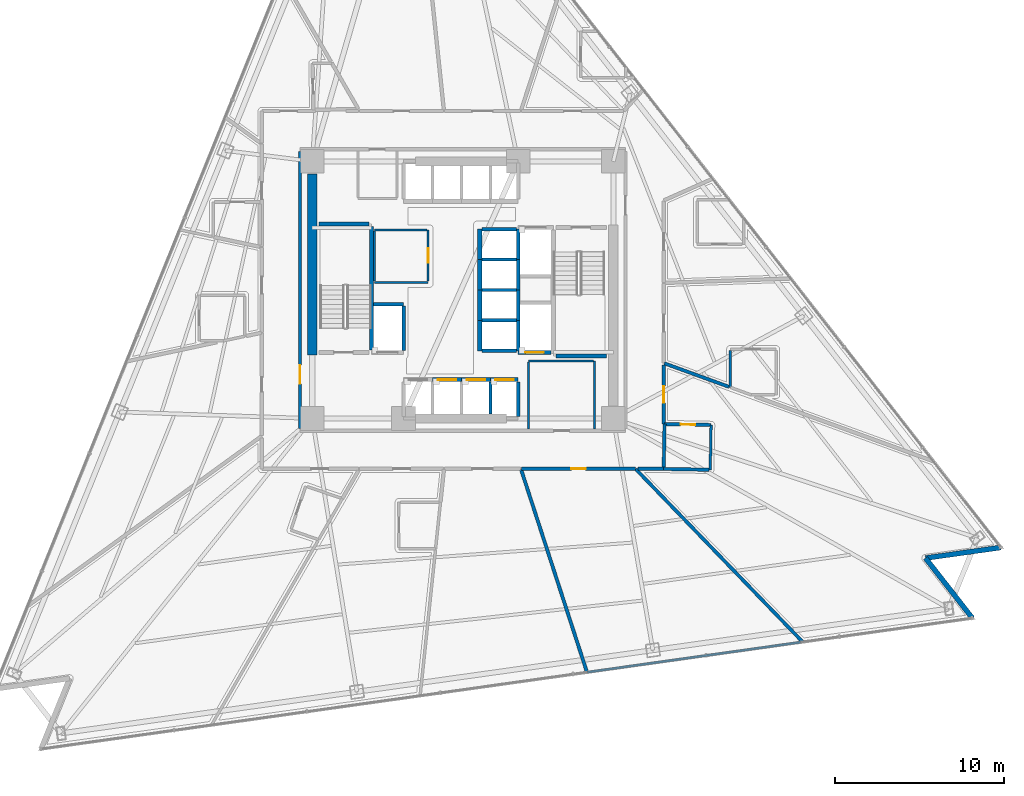
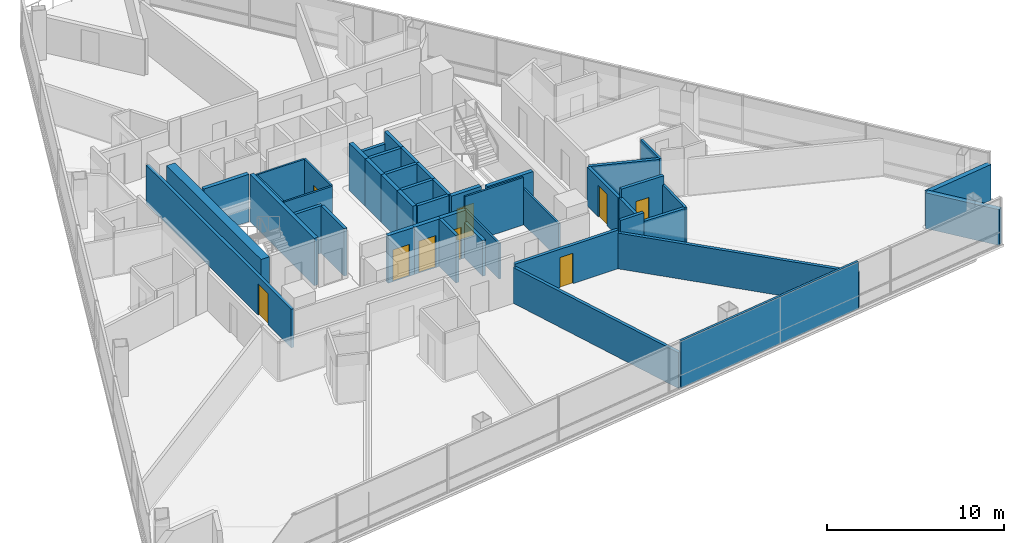
# One storey, part 8 of 15: 47 walls, 9 doors, 9 openings.
"""IFC4 building model written with IfcOpenShell, lengths in metres."""

from ifc_helpers import new_model, si_unit, direction, frame, frame_2d, origin, place, context, subcontext, project, spatial, rectangle, extrude, material, layer, layer_set, type_object, element, fill, save


model = new_model("IFC4")

# Units and contexts
model_context = context("Model", 3, precision=1e-05, world=origin(), true_north=direction((0.0, 1.0)))
body_context = subcontext(model_context, "Body", "Model", "MODEL_VIEW")
ifc_project = project(units=[si_unit("LENGTHUNIT", "METRE"), si_unit("AREAUNIT", "SQUARE_METRE"), si_unit("VOLUMEUNIT", "CUBIC_METRE"), si_unit("PLANEANGLEUNIT", "RADIAN"), si_unit("MASSUNIT", "GRAM", prefix="KILO")], contexts=[model_context])

# Site, building, storey
site_placement = place(None, origin())
site = spatial("IfcSite", under=ifc_project, at=site_placement, CompositionType="ELEMENT")
building_placement = place(site_placement, origin())
building = spatial("IfcBuilding", under=site, at=building_placement, Name="Tharavind Bronze Gate", CompositionType="ELEMENT")
storey_placement = place(building_placement, frame((0.0, 0.0, 63.85009765625)))
storey = spatial("IfcBuildingStorey", under=building, at=storey_placement, Name="L15", CompositionType="ELEMENT", Elevation=63.85009765625)

# Walls
ifc_material_1 = material(Name="Concrete C40/50", Category="concrete")
ifc_layer_1 = layer(ifc_material_1, 0.300048828125)
ifc_layer_set_1 = layer_set([ifc_layer_1], Name="Concrete C40/50")
wall_type_1 = type_object("IfcWallType", Name="EXTERIOR SPANDREL WALL 300", PredefinedType="STANDARD", material=ifc_layer_set_1)
wall_1_placement = place(storey_placement, frame((30.127685546875, -19.399169921875, 0.0), z_axis=(0.0, 0.0, 1.0), x_axis=(-0.615621932091, 0.78804164657, 0.0)))
element("IfcWall", 1, at=wall_1_placement, inside=storey, type_object=wall_type_1, Name="L15 notch cheek wall 3A", PredefinedType="STANDARD", context=body_context, shape_type="SweptSolid", body=[
    extrude(rectangle(XDim=4.5, YDim=0.300048828125, at=frame_2d((2.25, 0.0))), origin(), (0.0, 0.0, 1.0), 2.469970703125),
])
wall_2_placement = place(storey_placement, frame((27.357421875, -15.85302734375, 0.0), z_axis=(0.0, 0.0, 1.0), x_axis=(0.990269200152, 0.139165050317, 0.0)))
element("IfcWall", 2, at=wall_2_placement, inside=storey, type_object=wall_type_1, Name="L15 notch cheek wall 3B", PredefinedType="STANDARD", context=body_context, shape_type="SweptSolid", body=[
    extrude(rectangle(XDim=4.499755859375, YDim=0.300048828125, at=frame_2d((2.25, 0.0))), origin(), (0.0, 0.0, 1.0), 2.469970703125),
])

# Wall, opening, door
ifc_material_2 = material(Name="Aerated Concrete Block", Category="concrete")
ifc_layer_2 = layer(ifc_material_2, 0.199951171875)
ifc_layer_set_2 = layer_set([ifc_layer_2], Name="Aerated Concrete Block")
wall_type_2 = type_object("IfcWallType", Name="FIRE RATED PARTITION 200", PredefinedType="PARTITIONING", material=ifc_layer_set_2)
wall_3_placement = place(storey_placement, frame((-9.6201171875, 8.199951171875, 0.0), z_axis=(0.0, 0.0, 1.0), x_axis=(0.0, -1.0, 0.0)))
wall_3 = element("IfcWall", 3, at=wall_3_placement, inside=storey, type_object=wall_type_2, Name="L15 west core corridor wall", PredefinedType="PARTITIONING", context=body_context, shape_type="SweptSolid", body=[
    extrude(rectangle(XDim=16.39990234375, YDim=0.199951171875, at=frame_2d((8.199951171875, 0.0))), origin(), (0.0, 0.0, 1.0), 2.669921875),
])
opening_1_placement = place(wall_3_placement, frame((12.64990234375, 0.0, 0.0)))
opening_1 = element("IfcOpeningElement", 4, at=opening_1_placement, cuts=wall_3, Name="Opening ID01", PredefinedType="OPENING", context=body_context, shape_type="SweptSolid", body=[
    extrude(rectangle(XDim=1.10009765625, YDim=2.14990234375, at=frame_2d((0.550048828125, 1.074951171875))), frame((0.0, 0.11009765625, 0.0), z_axis=(0.0, -1.0, 0.0), x_axis=(1.0, 0.0, 0.0)), (0.0, 0.0, 1.0), 0.219951171875),
])
ifc_material_3 = material(Name="Fire-Rated Steel", Category="steel")
door_type_1 = type_object("IfcDoorType", Name="STAIR CORE FIRE DOOR 1100X2150", OperationType="SINGLE_SWING_LEFT", PredefinedType="DOOR", material=ifc_material_3)
door_1_placement = place(opening_1_placement, frame((1.10009765625, 0.0, 0.0), z_axis=(0.0, 0.0, 1.0), x_axis=(-1.0, 0.0, 0.0)))
door_1 = element("IfcDoor", 5, at=door_1_placement, inside=storey, type_object=door_type_1, Name="L15 south west stair lobby fire door", OperationType="SINGLE_SWING_LEFT", OverallHeight=2.14990234375, OverallWidth=1.10009765625, PredefinedType="DOOR", context=body_context, shape_type="SweptSolid", body=[
    extrude(rectangle(XDim=1.10009765625, YDim=2.14990234375, at=frame_2d((0.550048828125, 1.074951171875))), frame((0.0, 0.02490234375, 0.0), z_axis=(0.0, -1.0, 0.0), x_axis=(1.0, 0.0, 0.0)), (0.0, 0.0, 1.0), 0.050048828125),
])
fill(opening_1, door_1)

wall_4_placement = place(storey_placement, frame((11.93115234375, -7.930419921875, 0.0), z_axis=(0.0, 0.0, 1.0), x_axis=(0.999812703389, -0.019353504647, 0.0)))
wall_4 = element("IfcWall", 6, at=wall_4_placement, inside=storey, type_object=wall_type_2, Name="L15 En-Suite Bathroom partition", PredefinedType="PARTITIONING", context=body_context, shape_type="SweptSolid", body=[
    extrude(rectangle(XDim=2.75, YDim=0.199951171875, at=frame_2d((1.375, 0.0))), origin(), (0.0, 0.0, 1.0), 3.27490234375),
])
opening_2_placement = place(wall_4_placement, frame((0.949951171875, 0.0, 0.0)))
opening_2 = element("IfcOpeningElement", 7, at=opening_2_placement, cuts=wall_4, Name="Opening ID06", PredefinedType="OPENING", context=body_context, shape_type="SweptSolid", body=[
    extrude(rectangle(XDim=0.85009765625, YDim=2.10009765625, at=frame_2d((0.425048828125, 1.050048828125))), frame((0.0, 0.11009765625, 0.0), z_axis=(0.0, -1.0, 0.0), x_axis=(1.0, 0.0, 0.0)), (0.0, 0.0, 1.0), 0.219951171875),
])
ifc_material_4 = material(Name="Moisture-Resistant Timber", Category="wood")
door_type_2 = type_object("IfcDoorType", Name="BATHROOM PRIVACY DOOR 850X2100", OperationType="SINGLE_SWING_RIGHT", PredefinedType="DOOR", material=ifc_material_4)
door_2_placement = place(opening_2_placement, origin())
door_2 = element("IfcDoor", 8, at=door_2_placement, inside=storey, type_object=door_type_2, Name="L15 En-Suite Bathroom door", OperationType="SINGLE_SWING_RIGHT", OverallHeight=2.10009765625, OverallWidth=0.85009765625, PredefinedType="DOOR", context=body_context, shape_type="SweptSolid", body=[
    extrude(rectangle(XDim=0.85009765625, YDim=2.10009765625, at=frame_2d((0.425048828125, 1.050048828125))), frame((0.0, 0.02490234375, 0.0), z_axis=(0.0, -1.0, 0.0), x_axis=(1.0, 0.0, 0.0)), (0.0, 0.0, 1.0), 0.050048828125),
])
fill(opening_2, door_2)

# Walls
wall_5_placement = place(storey_placement, frame((14.549560546875, -10.631591796875, 0.0), z_axis=(0.0, 0.0, 1.0), x_axis=(-0.999813887268, 0.019292247848, 0.0)))
element("IfcWall", 9, at=wall_5_placement, inside=storey, type_object=wall_type_2, Name="L15 En-Suite Bathroom partition", PredefinedType="PARTITIONING", context=body_context, shape_type="SweptSolid", body=[
    extrude(rectangle(XDim=2.670166015625, YDim=0.199951171875, at=frame_2d((1.3349609375, 0.0))), origin(), (0.0, 0.0, 1.0), 2.669921875),
])
wall_6_placement = place(storey_placement, frame((11.8798828125, -10.57861328125, 0.0), z_axis=(0.0, 0.0, 1.0), x_axis=(0.019356564513, 0.999812644154, 0.0)))
element("IfcWall", 10, at=wall_6_placement, inside=storey, type_object=wall_type_2, Name="L15 En-Suite Bathroom partition", PredefinedType="PARTITIONING", context=body_context, shape_type="SweptSolid", body=[
    extrude(rectangle(XDim=2.648681640625, YDim=0.199951171875, at=frame_2d((1.32421875, 0.0))), origin(), (0.0, 0.0, 1.0), 2.669921875),
])
wall_7_placement = place(storey_placement, frame((7.337158203125, -22.581298828125, 0.0), z_axis=(0.0, 0.0, 1.0), x_axis=(-0.309025096648, 0.951053883669, 0.0)))
element("IfcWall", 11, at=wall_7_placement, inside=storey, type_object=wall_type_2, Name="L15 Public Restrooms Block partition", PredefinedType="PARTITIONING", context=body_context, shape_type="SweptSolid", body=[
    extrude(rectangle(XDim=12.58447265625, YDim=0.199951171875, at=frame_2d((6.292236328125, 0.0))), origin(), (0.0, 0.0, 1.0), 2.469970703125),
])

# Wall, opening, door
wall_8_placement = place(storey_placement, frame((3.47216796875, -10.580078125, 0.0), z_axis=(0.0, 0.0, 1.0), x_axis=(1.0, 0.0, 0.0)))
wall_8 = element("IfcWall", 12, at=wall_8_placement, inside=storey, type_object=wall_type_2, Name="L15 Public Restrooms Block partition", PredefinedType="PARTITIONING", context=body_context, shape_type="SweptSolid", body=[
    extrude(rectangle(XDim=6.734130859375, YDim=0.199951171875, at=frame_2d((3.3671875, 0.0))), origin(), (0.0, 0.0, 1.0), 2.669921875),
])
opening_3_placement = place(wall_8_placement, frame((2.94189453125, 0.0, 0.0)))
opening_3 = element("IfcOpeningElement", 13, at=opening_3_placement, cuts=wall_8, Name="Opening ID06", PredefinedType="OPENING", context=body_context, shape_type="SweptSolid", body=[
    extrude(rectangle(XDim=0.85009765625, YDim=2.10009765625, at=frame_2d((0.425048828125, 1.050048828125))), frame((0.0, 0.11009765625, 0.0), z_axis=(0.0, -1.0, 0.0), x_axis=(1.0, 0.0, 0.0)), (0.0, 0.0, 1.0), 0.219951171875),
])
door_3_placement = place(opening_3_placement, origin())
door_3 = element("IfcDoor", 14, at=door_3_placement, inside=storey, type_object=door_type_2, Name="L15 Public Restrooms Block door", OperationType="SINGLE_SWING_RIGHT", OverallHeight=2.10009765625, OverallWidth=0.85009765625, PredefinedType="DOOR", context=body_context, shape_type="SweptSolid", body=[
    extrude(rectangle(XDim=0.85009765625, YDim=2.10009765625, at=frame_2d((0.425048828125, 1.050048828125))), frame((0.0, 0.02490234375, 0.0), z_axis=(0.0, -1.0, 0.0), x_axis=(1.0, 0.0, 0.0)), (0.0, 0.0, 1.0), 0.050048828125),
])
fill(opening_3, door_3)

# Walls
wall_9_placement = place(storey_placement, frame((10.224365234375, -10.587646484375, 0.0), z_axis=(0.0, 0.0, 1.0), x_axis=(0.694662887415, -0.719335438337, 0.0)))
element("IfcWall", 15, at=wall_9_placement, inside=storey, type_object=wall_type_2, Name="L15 Public Restrooms Block partition", PredefinedType="PARTITIONING", context=body_context, shape_type="SweptSolid", body=[
    extrude(rectangle(XDim=14.20947265625, YDim=0.199951171875, at=frame_2d((7.104736328125, 0.0))), origin(), (0.0, 0.0, 1.0), 2.469970703125),
])
wall_10_placement = place(storey_placement, frame((11.91357421875, -4.336181640625, 0.0), z_axis=(0.0, 0.0, 1.0), x_axis=(0.93968309138, -0.342046324017, 0.0)))
element("IfcWall", 16, at=wall_10_placement, inside=storey, type_object=wall_type_2, Name="L15 Corner Hotel Suite partition", PredefinedType="PARTITIONING", context=body_context, shape_type="SweptSolid", body=[
    extrude(rectangle(XDim=4.072021484375, YDim=0.199951171875, at=frame_2d((2.0361328125, 0.0))), origin(), (0.0, 0.0, 1.0), 2.669921875),
])
wall_11_placement = place(storey_placement, frame((10.363037109375, -10.580078125, 0.0), z_axis=(0.0, 0.0, 1.0), x_axis=(1.0, 0.0, 0.0)))
element("IfcWall", 17, at=wall_11_placement, inside=storey, type_object=wall_type_2, Name="L15 Corner Hotel Suite partition", PredefinedType="PARTITIONING", context=body_context, shape_type="SweptSolid", body=[
    extrude(rectangle(XDim=1.516357421875, YDim=0.199951171875, at=frame_2d((0.75830078125, 0.0))), origin(), (0.0, 0.0, 1.0), 3.27490234375),
])

# Wall, opening, door
wall_12_placement = place(storey_placement, frame((11.8798828125, -7.929443359375, 0.0), z_axis=(0.0, 0.0, 1.0), x_axis=(0.0, 1.0, 0.0)))
wall_12 = element("IfcWall", 18, at=wall_12_placement, inside=storey, type_object=wall_type_2, Name="L15 Corner Hotel Suite partition", PredefinedType="PARTITIONING", context=body_context, shape_type="SweptSolid", body=[
    extrude(rectangle(XDim=3.49365234375, YDim=0.199951171875, at=frame_2d((1.746826171875, 0.0))), origin(), (0.0, 0.0, 1.0), 2.669921875),
])
opening_4_placement = place(wall_12_placement, frame((1.2470703125, 0.0, 0.0)))
opening_4 = element("IfcOpeningElement", 19, at=opening_4_placement, cuts=wall_12, Name="Opening ID03", PredefinedType="OPENING", context=body_context, shape_type="SweptSolid", body=[
    extrude(rectangle(XDim=1.0, YDim=2.14990234375, at=frame_2d((0.5, 1.074951171875))), frame((0.0, 0.11009765625, 0.0), z_axis=(0.0, -1.0, 0.0), x_axis=(1.0, 0.0, 0.0)), (0.0, 0.0, 1.0), 0.219951171875),
])
ifc_material_5 = material(Name="Solid Timber Veneer", Category="wood")
door_type_3 = type_object("IfcDoorType", Name="HOTEL SUITE ENTRANCE DOOR 1000X2150", OperationType="SINGLE_SWING_LEFT", PredefinedType="DOOR", material=ifc_material_5)
door_4_placement = place(opening_4_placement, origin())
door_4 = element("IfcDoor", 20, at=door_4_placement, inside=storey, type_object=door_type_3, Name="L15 Corner Hotel Suite door", OperationType="SINGLE_SWING_LEFT", OverallHeight=2.14990234375, OverallWidth=1.0, PredefinedType="DOOR", context=body_context, shape_type="SweptSolid", body=[
    extrude(rectangle(XDim=1.0, YDim=2.14990234375, at=frame_2d((0.5, 1.074951171875))), frame((0.0, 0.02490234375, 0.0), z_axis=(0.0, -1.0, 0.0), x_axis=(1.0, 0.0, 0.0)), (0.0, 0.0, 1.0), 0.050048828125),
])
fill(opening_4, door_4)

# Wall
ifc_material_6 = material(Name="Metal Stud Gypsum Partition", Category="gypsum")
ifc_layer_3 = layer(ifc_material_6, 0.1201171875)
ifc_layer_set_3 = layer_set([ifc_layer_3], Name="Metal Stud Gypsum Partition")
wall_type_3 = type_object("IfcWallType", Name="INTERIOR PARTITION WALL 120", PredefinedType="PARTITIONING", material=ifc_layer_set_3)
wall_13_placement = place(storey_placement, frame((-5.219970703125, 0.449951171875, 0.0), z_axis=(0.0, 0.0, 1.0), x_axis=(1.0, 0.0, 0.0)))
element("IfcWall", 21, at=wall_13_placement, inside=storey, type_object=wall_type_3, Name="L15 Electrical & Telecom Store partition 1", PredefinedType="PARTITIONING", context=body_context, shape_type="SweptSolid", body=[
    extrude(rectangle(XDim=3.169921875, YDim=0.1201171875, at=frame_2d((1.5849609375, 0.0))), origin(), (0.0, 0.0, 1.0), 3.27490234375),
])

# Wall, opening, door
wall_14_placement = place(storey_placement, frame((-2.050048828125, 0.514892578125, 0.0), z_axis=(0.0, 0.0, 1.0), x_axis=(0.0, 1.0, 0.0)))
wall_14 = element("IfcWall", 22, at=wall_14_placement, inside=storey, type_object=wall_type_3, Name="L15 Electrical & Telecom Store partition 2", PredefinedType="PARTITIONING", context=body_context, shape_type="SweptSolid", body=[
    extrude(rectangle(XDim=3.03515625, YDim=0.1201171875, at=frame_2d((1.517578125, 0.0))), origin(), (0.0, 0.0, 1.0), 3.27490234375),
])
opening_5_placement = place(wall_14_placement, frame((1.092041015625, 0.0, 0.0)))
opening_5 = element("IfcOpeningElement", 23, at=opening_5_placement, cuts=wall_14, Name="Opening ID06", PredefinedType="OPENING", context=body_context, shape_type="SweptSolid", body=[
    extrude(rectangle(XDim=0.85009765625, YDim=2.10009765625, at=frame_2d((0.425048828125, 1.050048828125))), frame((0.0, 0.07005859375, 0.0), z_axis=(0.0, -1.0, 0.0), x_axis=(1.0, 0.0, 0.0)), (0.0, 0.0, 1.0), 0.1401171875),
])
door_5_placement = place(opening_5_placement, frame((0.85009765625, 0.0, 0.0), z_axis=(0.0, 0.0, 1.0), x_axis=(-1.0, 0.0, 0.0)))
door_5 = element("IfcDoor", 24, at=door_5_placement, inside=storey, type_object=door_type_2, Name="L15 Electrical & Telecom Store door", OperationType="SINGLE_SWING_RIGHT", OverallHeight=2.10009765625, OverallWidth=0.85009765625, PredefinedType="DOOR", context=body_context, shape_type="SweptSolid", body=[
    extrude(rectangle(XDim=0.85009765625, YDim=2.10009765625, at=frame_2d((0.425048828125, 1.050048828125))), frame((0.0, 0.02490234375, 0.0), z_axis=(0.0, -1.0, 0.0), x_axis=(1.0, 0.0, 0.0)), (0.0, 0.0, 1.0), 0.050048828125),
])
fill(opening_5, door_5)

# Walls
wall_15_placement = place(storey_placement, frame((-2.114990234375, 3.550048828125, 0.0), z_axis=(0.0, 0.0, 1.0), x_axis=(-1.0, 0.0, 0.0)))
element("IfcWall", 25, at=wall_15_placement, inside=storey, type_object=wall_type_3, Name="L15 Electrical & Telecom Store partition 3", PredefinedType="PARTITIONING", context=body_context, shape_type="SweptSolid", body=[
    extrude(rectangle(XDim=3.10498046875, YDim=0.1201171875, at=frame_2d((1.552490234375, 0.0))), origin(), (0.0, 0.0, 1.0), 3.27490234375),
])
wall_16_placement = place(storey_placement, frame((-5.219970703125, 3.485107421875, 0.0), z_axis=(0.0, 0.0, 1.0), x_axis=(0.0, -1.0, 0.0)))
element("IfcWall", 26, at=wall_16_placement, inside=storey, type_object=wall_type_3, Name="L15 Electrical & Telecom Store partition 4", PredefinedType="PARTITIONING", context=body_context, shape_type="SweptSolid", body=[
    extrude(rectangle(XDim=2.97021484375, YDim=0.1201171875, at=frame_2d((1.485107421875, 0.0))), origin(), (0.0, 0.0, 1.0), 3.27490234375),
])
wall_17_placement = place(storey_placement, frame((7.800048828125, -8.215087890625, 0.0), z_axis=(0.0, 0.0, 1.0), x_axis=(0.0, 1.0, 0.0)))
element("IfcWall", 27, at=wall_17_placement, inside=storey, type_object=wall_type_3, Name="L15 Telecom Metering Room partition 2", PredefinedType="PARTITIONING", context=body_context, shape_type="SweptSolid", body=[
    extrude(rectangle(XDim=4.01513671875, YDim=0.1201171875, at=frame_2d((2.007568359375, 0.0))), origin(), (0.0, 0.0, 1.0), 2.469970703125),
])
wall_18_placement = place(storey_placement, frame((7.735107421875, -4.199951171875, 0.0), z_axis=(0.0, 0.0, 1.0), x_axis=(-1.0, 0.0, 0.0)))
element("IfcWall", 28, at=wall_18_placement, inside=storey, type_object=wall_type_3, Name="L15 Telecom Metering Room partition 3", PredefinedType="PARTITIONING", context=body_context, shape_type="SweptSolid", body=[
    extrude(rectangle(XDim=3.835205078125, YDim=0.1201171875, at=frame_2d((1.91748046875, 0.0))), origin(), (0.0, 0.0, 1.0), 3.27490234375),
])
wall_19_placement = place(storey_placement, frame((3.89990234375, -4.264892578125, 0.0), z_axis=(0.0, 0.0, 1.0), x_axis=(0.0, -1.0, 0.0)))
element("IfcWall", 29, at=wall_19_placement, inside=storey, type_object=wall_type_3, Name="L15 Telecom Metering Room partition 4", PredefinedType="PARTITIONING", context=body_context, shape_type="SweptSolid", body=[
    extrude(rectangle(XDim=3.9501953125, YDim=0.1201171875, at=frame_2d((1.97509765625, 0.0))), origin(), (0.0, 0.0, 1.0), 2.469970703125),
])
ifc_material_7 = material(Name="Twin Stud Acoustic Gypsum", Category="gypsum")
ifc_layer_4 = layer(ifc_material_7, 0.14990234375)
ifc_layer_set_4 = layer_set([ifc_layer_4], Name="Twin Stud Acoustic Gypsum")
wall_type_4 = type_object("IfcWallType", Name="INTERIOR PARTITION WALL 150", PredefinedType="PARTITIONING", material=ifc_layer_set_4)
wall_20_placement = place(storey_placement, frame((14.6806640625, -7.983642578125, 0.0), z_axis=(0.0, 0.0, 1.0), x_axis=(-0.01934764942, -0.999812816712, 0.0)))
element("IfcWall", 30, at=wall_20_placement, inside=storey, type_object=wall_type_4, Name="L15 En-Suite Bathroom partition", PredefinedType="PARTITIONING", context=body_context, shape_type="SweptSolid", body=[
    extrude(rectangle(XDim=2.64990234375, YDim=0.14990234375, at=frame_2d((1.324951171875, 0.0))), origin(), (0.0, 0.0, 1.0), 2.669921875),
])
wall_21_placement = place(storey_placement, frame((15.820068359375, -5.758056640625, 0.0), z_axis=(0.0, 0.0, 1.0), x_axis=(0.0, 1.0, 0.0)))
element("IfcWall", 31, at=wall_21_placement, inside=storey, type_object=wall_type_4, Name="L15 En-Suite Bathroom partition", PredefinedType="PARTITIONING", context=body_context, shape_type="SweptSolid", body=[
    extrude(rectangle(XDim=2.1708984375, YDim=0.14990234375, at=frame_2d((1.08544921875, 0.0))), origin(), (0.0, 0.0, 1.0), 2.669921875),
])
wall_22_placement = place(storey_placement, frame((19.966552734375, -20.8271484375, 0.0), z_axis=(0.0, 0.0, 1.0), x_axis=(-0.990266579607, -0.139183696289, 0.0)))
element("IfcWall", 32, at=wall_22_placement, inside=storey, type_object=wall_type_4, Name="L15 Public Restrooms Block partition", PredefinedType="PARTITIONING", context=body_context, shape_type="SweptSolid", body=[
    extrude(rectangle(XDim=12.725830078125, YDim=0.14990234375, at=frame_2d((6.36279296875, 0.0))), origin(), (0.0, 0.0, 1.0), 3.27490234375),
])
ifc_material_8 = material(Name="Concrete C50/60", Category="concrete")
ifc_layer_5 = layer(ifc_material_8, 0.25)
ifc_layer_set_5 = layer_set([ifc_layer_5], Name="Concrete C50/60")
wall_type_5 = type_object("IfcWallType", Name="RC CORE SHEAR WALL 250", PredefinedType="SHEAR", material=ifc_layer_set_5)
wall_23_placement = place(storey_placement, frame((-5.39990234375, -3.550048828125, 0.0), z_axis=(0.0, 0.0, 1.0), x_axis=(0.0, 1.0, 0.0)))
element("IfcWall", 33, at=wall_23_placement, inside=storey, type_object=wall_type_5, Name="L15 ST1 shaft east wall", PredefinedType="SHEAR", context=body_context, shape_type="SweptSolid", body=[
    extrude(rectangle(XDim=7.300048828125, YDim=0.25, at=frame_2d((3.64990234375, 0.0))), origin(), (0.0, 0.0, 1.0), 3.27490234375),
])
wall_24_placement = place(storey_placement, frame((-8.5, 3.89990234375, 0.0), z_axis=(0.0, 0.0, 1.0), x_axis=(1.0, 0.0, 0.0)))
element("IfcWall", 34, at=wall_24_placement, inside=storey, type_object=wall_type_5, Name="L15 ST1 shaft north wall", PredefinedType="SHEAR", context=body_context, shape_type="SweptSolid", body=[
    extrude(rectangle(XDim=2.949951171875, YDim=0.25, at=frame_2d((1.47509765625, 0.0))), origin(), (0.0, 0.0, 1.0), 3.27490234375),
])
wall_25_placement = place(storey_placement, frame((5.5, -3.89990234375, 0.0), z_axis=(0.0, 0.0, 1.0), x_axis=(1.0, 0.0, 0.0)))
element("IfcWall", 35, at=wall_25_placement, inside=storey, type_object=wall_type_5, Name="L15 ST2 shaft south wall", PredefinedType="SHEAR", context=body_context, shape_type="SweptSolid", body=[
    extrude(rectangle(XDim=3.0, YDim=0.25, at=frame_2d((1.5, 0.0))), origin(), (0.0, 0.0, 1.0), 3.27490234375),
])

# Wall, opening, door
wall_26_placement = place(storey_placement, frame((-1.78759765625, -5.300048828125, 0.0), z_axis=(0.0, 0.0, 1.0), x_axis=(1.0, 0.0, 0.0)))
wall_26 = element("IfcWall", 36, at=wall_26_placement, inside=storey, type_object=wall_type_5, Name="L15 lift PL2 shaft front wall", PredefinedType="SHEAR", context=body_context, shape_type="SweptSolid", body=[
    extrude(rectangle(XDim=1.712646484375, YDim=0.25, at=frame_2d((0.8564453125, 0.0))), origin(), (0.0, 0.0, 1.0), 3.27490234375),
])
opening_6_placement = place(wall_26_placement, frame((0.305908203125, 0.0, 0.0)))
opening_6 = element("IfcOpeningElement", 37, at=opening_6_placement, cuts=wall_26, Name="Opening LD01", PredefinedType="OPENING", context=body_context, shape_type="SweptSolid", body=[
    extrude(rectangle(XDim=1.10009765625, YDim=2.199951171875, at=frame_2d((0.550048828125, 1.10009765625))), frame((0.0, 0.135, 0.0), z_axis=(0.0, -1.0, 0.0), x_axis=(1.0, 0.0, 0.0)), (0.0, 0.0, 1.0), 0.27),
])
ifc_material_9 = material(Name="Brushed Bronze Stainless Steel", Category="steel")
door_type_4 = type_object("IfcDoorType", Name="LIFT LANDING SLIDING DOOR 1100X2200", OperationType="SLIDING_TO_LEFT", PredefinedType="DOOR", material=ifc_material_9)
door_6_placement = place(opening_6_placement, origin())
door_6 = element("IfcDoor", 38, at=door_6_placement, inside=storey, type_object=door_type_4, Name="L15 lift PL2 sliding landing door", OperationType="SLIDING_TO_LEFT", OverallHeight=2.199951171875, OverallWidth=1.10009765625, PredefinedType="DOOR", context=body_context, shape_type="SweptSolid", body=[
    extrude(rectangle(XDim=1.10009765625, YDim=2.199951171875, at=frame_2d((0.550048828125, 1.10009765625))), frame((0.0, 0.02490234375, 0.0), z_axis=(0.0, -1.0, 0.0), x_axis=(1.0, 0.0, 0.0)), (0.0, 0.0, 1.0), 0.050048828125),
])
fill(opening_6, door_6)

wall_27_placement = place(storey_placement, frame((-0.074951171875, -5.300048828125, 0.0), z_axis=(0.0, 0.0, 1.0), x_axis=(1.0, 0.0, 0.0)))
wall_27 = element("IfcWall", 39, at=wall_27_placement, inside=storey, type_object=wall_type_5, Name="L15 lift PL3 shaft front wall", PredefinedType="SHEAR", context=body_context, shape_type="SweptSolid", body=[
    extrude(rectangle(XDim=1.71240234375, YDim=0.25, at=frame_2d((0.856201171875, 0.0))), origin(), (0.0, 0.0, 1.0), 3.27490234375),
])
opening_7_placement = place(wall_27_placement, frame((0.305908203125, 0.0, 0.0)))
opening_7 = element("IfcOpeningElement", 40, at=opening_7_placement, cuts=wall_27, Name="Opening LD01", PredefinedType="OPENING", context=body_context, shape_type="SweptSolid", body=[
    extrude(rectangle(XDim=1.10009765625, YDim=2.199951171875, at=frame_2d((0.550048828125, 1.10009765625))), frame((0.0, 0.135, 0.0), z_axis=(0.0, -1.0, 0.0), x_axis=(1.0, 0.0, 0.0)), (0.0, 0.0, 1.0), 0.27),
])
door_7_placement = place(opening_7_placement, origin())
door_7 = element("IfcDoor", 41, at=door_7_placement, inside=storey, type_object=door_type_4, Name="L15 lift PL3 sliding landing door", OperationType="SLIDING_TO_LEFT", OverallHeight=2.199951171875, OverallWidth=1.10009765625, PredefinedType="DOOR", context=body_context, shape_type="SweptSolid", body=[
    extrude(rectangle(XDim=1.10009765625, YDim=2.199951171875, at=frame_2d((0.550048828125, 1.10009765625))), frame((0.0, 0.02490234375, 0.0), z_axis=(0.0, -1.0, 0.0), x_axis=(1.0, 0.0, 0.0)), (0.0, 0.0, 1.0), 0.050048828125),
])
fill(opening_7, door_7)

wall_28_placement = place(storey_placement, frame((1.637451171875, -5.300048828125, 0.0), z_axis=(0.0, 0.0, 1.0), x_axis=(1.0, 0.0, 0.0)))
wall_28 = element("IfcWall", 42, at=wall_28_placement, inside=storey, type_object=wall_type_5, Name="L15 lift PL4 shaft front wall", PredefinedType="SHEAR", context=body_context, shape_type="SweptSolid", body=[
    extrude(rectangle(XDim=1.642578125, YDim=0.25, at=frame_2d((0.8212890625, 0.0))), origin(), (0.0, 0.0, 1.0), 3.27490234375),
])
opening_8_placement = place(wall_28_placement, frame((0.27099609375, 0.0, 0.0)))
opening_8 = element("IfcOpeningElement", 43, at=opening_8_placement, cuts=wall_28, Name="Opening LD01", PredefinedType="OPENING", context=body_context, shape_type="SweptSolid", body=[
    extrude(rectangle(XDim=1.10009765625, YDim=2.199951171875, at=frame_2d((0.550048828125, 1.10009765625))), frame((0.0, 0.135, 0.0), z_axis=(0.0, -1.0, 0.0), x_axis=(1.0, 0.0, 0.0)), (0.0, 0.0, 1.0), 0.27),
])
door_8_placement = place(opening_8_placement, origin())
door_8 = element("IfcDoor", 44, at=door_8_placement, inside=storey, type_object=door_type_4, Name="L15 lift PL4 sliding landing door", OperationType="SLIDING_TO_LEFT", OverallHeight=2.199951171875, OverallWidth=1.10009765625, PredefinedType="DOOR", context=body_context, shape_type="SweptSolid", body=[
    extrude(rectangle(XDim=1.10009765625, YDim=2.199951171875, at=frame_2d((0.550048828125, 1.10009765625))), frame((0.0, 0.02490234375, 0.0), z_axis=(0.0, -1.0, 0.0), x_axis=(1.0, 0.0, 0.0)), (0.0, 0.0, 1.0), 0.050048828125),
])
fill(opening_8, door_8)

# Walls
for number, where, z_axis, x_axis, name in (
    (45, (1.0, -3.60009765625, 0.0), (0.0, 0.0, 1.0), (0.0, 1.0, 0.0), "L15 lift PL9 shaft front wall"),
    (46, (1.0, -1.800048828125, 0.0), (0.0, 0.0, 1.0), (0.0, 1.0, 0.0), "L15 lift PL10 shaft front wall"),
    (47, (1.0, 0.0, 0.0), (0.0, 0.0, 1.0), (0.0, 1.0, 0.0), "L15 lift PL11 shaft front wall"),
    (48, (1.0, 1.800048828125, 0.0), (0.0, 0.0, 1.0), (0.0, 1.0, 0.0), "L15 lift PL12 shaft front wall"),
):
    element("IfcWall", number, at=place(storey_placement, frame(where, z_axis=z_axis, x_axis=x_axis)), inside=storey, type_object=wall_type_5, Name=name, PredefinedType="SHEAR", context=body_context, shape_type="SweptSolid", body=[
        extrude(rectangle(XDim=1.800048828125, YDim=0.25, at=frame_2d((0.89990234375, 0.0))), origin(), (0.0, 0.0, 1.0), 3.27490234375),
    ])

# Wall, opening, door
wall_29_placement = place(storey_placement, frame((3.280029296875, -3.699951171875, 0.0), z_axis=(0.0, 0.0, 1.0), x_axis=(1.0, 0.0, 0.0)))
wall_29 = element("IfcWall", 49, at=wall_29_placement, inside=storey, type_object=wall_type_5, Name="L15 lift SVL1 shaft front wall", PredefinedType="SHEAR", context=body_context, shape_type="SweptSolid", body=[
    extrude(rectangle(XDim=1.93994140625, YDim=0.25, at=frame_2d((0.969970703125, 0.0))), origin(), (0.0, 0.0, 1.0), 3.27490234375),
])
opening_9_placement = place(wall_29_placement, frame((0.419921875, 0.0, 0.0)))
opening_9 = element("IfcOpeningElement", 50, at=opening_9_placement, cuts=wall_29, Name="Opening LD01", PredefinedType="OPENING", context=body_context, shape_type="SweptSolid", body=[
    extrude(rectangle(XDim=1.10009765625, YDim=2.199951171875, at=frame_2d((0.550048828125, 1.10009765625))), frame((0.0, 0.135, 0.0), z_axis=(0.0, -1.0, 0.0), x_axis=(1.0, 0.0, 0.0)), (0.0, 0.0, 1.0), 0.27),
])
door_9_placement = place(opening_9_placement, origin())
door_9 = element("IfcDoor", 51, at=door_9_placement, inside=storey, type_object=door_type_4, Name="L15 lift SVL1 sliding landing door", OperationType="SLIDING_TO_LEFT", OverallHeight=2.199951171875, OverallWidth=1.10009765625, PredefinedType="DOOR", context=body_context, shape_type="SweptSolid", body=[
    extrude(rectangle(XDim=1.10009765625, YDim=2.199951171875, at=frame_2d((0.550048828125, 1.10009765625))), frame((0.0, 0.02490234375, 0.0), z_axis=(0.0, -1.0, 0.0), x_axis=(1.0, 0.0, 0.0)), (0.0, 0.0, 1.0), 0.050048828125),
])
fill(opening_9, door_9)

# Walls
ifc_material_10 = material(Name="Concrete C60/75", Category="concrete")
ifc_layer_6 = layer(ifc_material_10, 0.550048828125)
ifc_layer_set_6 = layer_set([ifc_layer_6], Name="Concrete C60/75")
wall_type_6 = type_object("IfcWallType", Name="RC CORE SHEAR WALL 550", PredefinedType="SHEAR", material=ifc_layer_set_6)
wall_30_placement = place(storey_placement, frame((-8.89990234375, -3.85009765625, 0.0), z_axis=(0.0, 0.0, 1.0), x_axis=(0.0, 1.0, 0.0)))
element("IfcWall", 52, at=wall_30_placement, inside=storey, type_object=wall_type_6, Name="L15 west core shear wall", PredefinedType="SHEAR", context=body_context, shape_type="SweptSolid", body=[
    extrude(rectangle(XDim=10.7001953125, YDim=0.550048828125, at=frame_2d((5.35009765625, 0.0))), origin(), (0.0, 0.0, 1.0), 3.27490234375),
])
ifc_layer_7 = layer(ifc_material_1, 0.199951171875)
ifc_layer_set_7 = layer_set([ifc_layer_7], Name="Concrete C40/50")
wall_type_7 = type_object("IfcWallType", Name="SHAFT ENCLOSURE WALL 200", PredefinedType="PARTITIONING", material=ifc_layer_set_7)
wall_31_placement = place(storey_placement, frame((1.637451171875, -7.320068359375, 0.0), z_axis=(0.0, 0.0, 1.0), x_axis=(0.0, 1.0, 0.0)))
element("IfcWall", 53, at=wall_31_placement, inside=storey, type_object=wall_type_7, Name="L15 lift PL3 shaft E enclosure wall", PredefinedType="PARTITIONING", context=body_context, shape_type="SweptSolid", body=[
    extrude(rectangle(XDim=1.89013671875, YDim=0.199951171875, at=frame_2d((0.945068359375, 0.0))), origin(), (0.0, 0.0, 1.0), 3.27490234375),
])
wall_32_placement = place(storey_placement, frame((3.280029296875, -7.4951171875, 0.0), z_axis=(0.0, 0.0, 1.0), x_axis=(0.0, 1.0, 0.0)))
element("IfcWall", 54, at=wall_32_placement, inside=storey, type_object=wall_type_7, Name="L15 lift PL4 shaft E enclosure wall", PredefinedType="PARTITIONING", context=body_context, shape_type="SweptSolid", body=[
    extrude(rectangle(XDim=2.065185546875, YDim=0.199951171875, at=frame_2d((1.03271484375, 0.0))), origin(), (0.0, 0.0, 1.0), 2.469970703125),
])
wall_33_placement = place(storey_placement, frame((3.280029296875, -3.60009765625, 0.0), z_axis=(0.0, 0.0, 1.0), x_axis=(0.0, 1.0, 0.0)))
element("IfcWall", 55, at=wall_33_placement, inside=storey, type_object=wall_type_7, Name="L15 lift PL9 shaft E enclosure wall", PredefinedType="PARTITIONING", context=body_context, shape_type="SweptSolid", body=[
    extrude(rectangle(XDim=1.800048828125, YDim=0.199951171875, at=frame_2d((0.89990234375, 0.0))), origin(), (0.0, 0.0, 1.0), 3.27490234375),
])
for number, where, z_axis, x_axis, name in (
    (56, (1.1298828125, -3.60009765625, 0.0), (0.0, 0.0, 1.0), (1.0, 0.0, 0.0), "L15 lift PL9 shaft S enclosure wall"),
    (57, (1.1298828125, -1.800048828125, 0.0), (0.0, 0.0, 1.0), (1.0, 0.0, 0.0), "L15 lift PL9 shaft N enclosure wall"),
):
    element("IfcWall", number, at=place(storey_placement, frame(where, z_axis=z_axis, x_axis=x_axis)), inside=storey, type_object=wall_type_7, Name=name, PredefinedType="PARTITIONING", context=body_context, shape_type="SweptSolid", body=[
        extrude(rectangle(XDim=2.045166015625, YDim=0.199951171875, at=frame_2d((1.0224609375, 0.0))), origin(), (0.0, 0.0, 1.0), 3.27490234375),
    ])
wall_34_placement = place(storey_placement, frame((3.280029296875, -1.800048828125, 0.0), z_axis=(0.0, 0.0, 1.0), x_axis=(0.0, 1.0, 0.0)))
element("IfcWall", 58, at=wall_34_placement, inside=storey, type_object=wall_type_7, Name="L15 lift PL10 shaft E enclosure wall", PredefinedType="PARTITIONING", context=body_context, shape_type="SweptSolid", body=[
    extrude(rectangle(XDim=1.800048828125, YDim=0.199951171875, at=frame_2d((0.89990234375, 0.0))), origin(), (0.0, 0.0, 1.0), 3.27490234375),
])
wall_35_placement = place(storey_placement, frame((1.1298828125, 0.0, 0.0), z_axis=(0.0, 0.0, 1.0), x_axis=(1.0, 0.0, 0.0)))
element("IfcWall", 59, at=wall_35_placement, inside=storey, type_object=wall_type_7, Name="L15 lift PL10 shaft N enclosure wall", PredefinedType="PARTITIONING", context=body_context, shape_type="SweptSolid", body=[
    extrude(rectangle(XDim=2.045166015625, YDim=0.199951171875, at=frame_2d((1.0224609375, 0.0))), origin(), (0.0, 0.0, 1.0), 3.27490234375),
])
wall_36_placement = place(storey_placement, frame((3.280029296875, 0.0, 0.0), z_axis=(0.0, 0.0, 1.0), x_axis=(0.0, 1.0, 0.0)))
element("IfcWall", 60, at=wall_36_placement, inside=storey, type_object=wall_type_7, Name="L15 lift PL11 shaft E enclosure wall", PredefinedType="PARTITIONING", context=body_context, shape_type="SweptSolid", body=[
    extrude(rectangle(XDim=1.800048828125, YDim=0.199951171875, at=frame_2d((0.89990234375, 0.0))), origin(), (0.0, 0.0, 1.0), 3.27490234375),
])
wall_37_placement = place(storey_placement, frame((1.1298828125, 1.800048828125, 0.0), z_axis=(0.0, 0.0, 1.0), x_axis=(1.0, 0.0, 0.0)))
element("IfcWall", 61, at=wall_37_placement, inside=storey, type_object=wall_type_7, Name="L15 lift PL11 shaft N enclosure wall", PredefinedType="PARTITIONING", context=body_context, shape_type="SweptSolid", body=[
    extrude(rectangle(XDim=2.045166015625, YDim=0.199951171875, at=frame_2d((1.0224609375, 0.0))), origin(), (0.0, 0.0, 1.0), 3.27490234375),
])
wall_38_placement = place(storey_placement, frame((3.280029296875, 1.800048828125, 0.0), z_axis=(0.0, 0.0, 1.0), x_axis=(0.0, 1.0, 0.0)))
element("IfcWall", 62, at=wall_38_placement, inside=storey, type_object=wall_type_7, Name="L15 lift PL12 shaft E enclosure wall", PredefinedType="PARTITIONING", context=body_context, shape_type="SweptSolid", body=[
    extrude(rectangle(XDim=1.800048828125, YDim=0.199951171875, at=frame_2d((0.89990234375, 0.0))), origin(), (0.0, 0.0, 1.0), 3.27490234375),
])
wall_39_placement = place(storey_placement, frame((1.1298828125, 3.60009765625, 0.0), z_axis=(0.0, 0.0, 1.0), x_axis=(1.0, 0.0, 0.0)))
element("IfcWall", 63, at=wall_39_placement, inside=storey, type_object=wall_type_7, Name="L15 lift PL12 shaft N enclosure wall", PredefinedType="PARTITIONING", context=body_context, shape_type="SweptSolid", body=[
    extrude(rectangle(XDim=2.045166015625, YDim=0.199951171875, at=frame_2d((1.0224609375, 0.0))), origin(), (0.0, 0.0, 1.0), 2.469970703125),
])
wall_40_placement = place(storey_placement, frame((-5.27001953125, -0.85009765625, 0.0), z_axis=(0.0, 0.0, 1.0), x_axis=(1.0, 0.0, 0.0)))
element("IfcWall", 64, at=wall_40_placement, inside=storey, type_object=wall_type_7, Name="L15 lift FFL1 shaft N enclosure wall", PredefinedType="PARTITIONING", context=body_context, shape_type="SweptSolid", body=[
    extrude(rectangle(XDim=1.77001953125, YDim=0.199951171875, at=frame_2d((0.885009765625, 0.0))), origin(), (0.0, 0.0, 1.0), 3.27490234375),
])
wall_41_placement = place(storey_placement, frame((-3.5, -3.570068359375, 0.0), z_axis=(0.0, 0.0, 1.0), x_axis=(0.0, 1.0, 0.0)))
element("IfcWall", 65, at=wall_41_placement, inside=storey, type_object=wall_type_7, Name="L15 lift FFL1 shaft E enclosure wall", PredefinedType="PARTITIONING", context=body_context, shape_type="SweptSolid", body=[
    extrude(rectangle(XDim=2.614990234375, YDim=0.199951171875, at=frame_2d((1.3076171875, 0.0))), origin(), (0.0, 0.0, 1.0), 3.27490234375),
])

save(model, "model.ifc")
